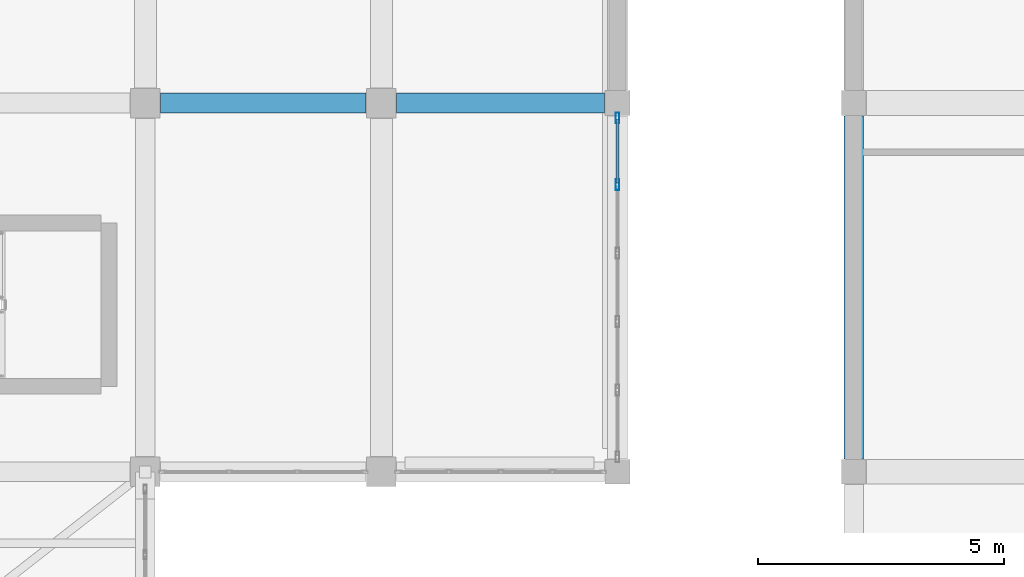
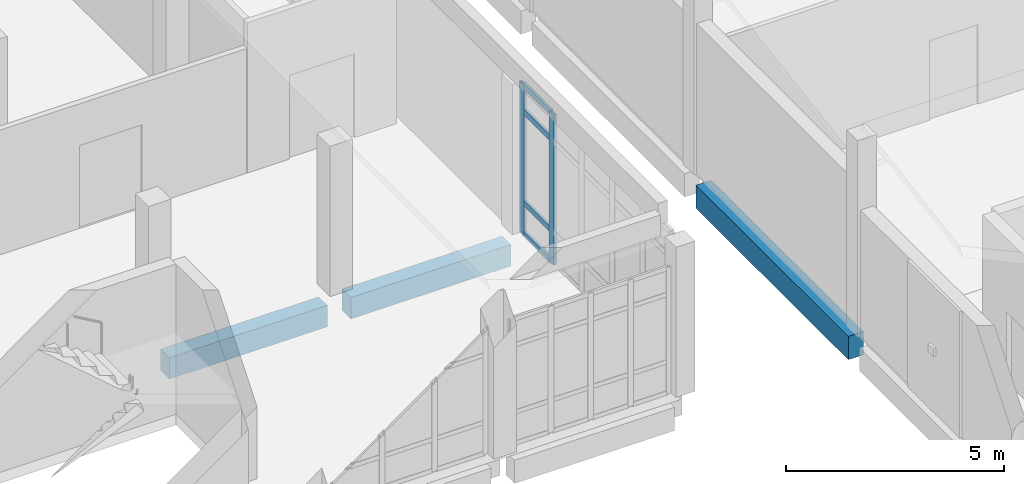
# One storey, part 98 of 164: 6 members, 3 beams, 1 element without a shape of its own.
"""IFC4 building model written with IfcOpenShell, lengths in metres."""

import ifcopenshell
import ifcopenshell.guid

model = None  # the IFC model being written
_history = None  # IfcOwnerHistory: only IFC2X3 demands one
_inside = {}  # id of a spatial element -> (the spatial element, [elements in it])
_under = {}  # id of a project, library or spatial element -> (it, [spatial elements below it])
_declared = {}  # id of a project -> (the project, [libraries it declares])
_typed = {}  # id of a type object -> (the type object, [elements of that type])
_made_of = {}  # id of a material, layer set ... -> (it, [elements and type objects made of it])


def new_model(schema):
    """Start an empty IFC model of exactly this schema.

    Asked for "IFC4X3", IfcOpenShell would pick the latest addendum, in which some entities
    have other attributes; the version numbers below select the first issue.
    IFC2X3 requires an IfcOwnerHistory on every rooted entity: one is made here for all.
    """
    global model, _history
    if schema == "IFC4X3":
        model = ifcopenshell.file(schema_version=(4, 3, 0, 0))
    else:
        model = ifcopenshell.file(schema=schema)
    _inside.clear()
    _under.clear()
    _declared.clear()
    _typed.clear()
    _made_of.clear()
    _history = None
    if model.schema == "IFC2X3":
        org = make("IfcOrganization", Name="unknown")
        user = make(
            "IfcPersonAndOrganization",
            ThePerson=make("IfcPerson", FamilyName="unknown"),
            TheOrganization=org,
        )
        app = make(
            "IfcApplication",
            ApplicationDeveloper=org,
            Version="unknown",
            ApplicationFullName="unknown",
            ApplicationIdentifier="unknown",
        )
        _history = make(
            "IfcOwnerHistory",
            OwningUser=user,
            OwningApplication=app,
            ChangeAction="ADDED",
            CreationDate=0,
        )
    return model


def make(cls, **values):
    """One entity of the class cls with the attributes given. An attribute that is None is left unset."""
    return model.create_entity(
        cls, **{name: value for name, value in values.items() if value is not None}
    )


def rooted(cls, **values):
    """An entity with a GlobalId (a new one), such as an element, a storey or a relation."""
    return make(cls, GlobalId=ifcopenshell.guid.new(), OwnerHistory=_history, **values)


def si_unit(unit_type, name, prefix=None):
    """IfcSIUnit, for example si_unit("LENGTHUNIT", "METRE", prefix="MILLI")."""
    return make("IfcSIUnit", UnitType=unit_type, Prefix=prefix, Name=name)


def assignment(units):
    """IfcUnitAssignment: the units of a project."""
    return None if units is None else make("IfcUnitAssignment", Units=units)


def point(xyz):
    """IfcCartesianPoint."""
    return None if xyz is None else make("IfcCartesianPoint", Coordinates=xyz)


def direction(xyz):
    """IfcDirection."""
    return None if xyz is None else make("IfcDirection", DirectionRatios=xyz)


def frame(location, z_axis=None, x_axis=None):
    """IfcAxis2Placement3D, a coordinate frame: its origin and axes. An axis left out is left unset."""
    return make(
        "IfcAxis2Placement3D",
        Location=point(location),
        Axis=direction(z_axis),
        RefDirection=direction(x_axis),
    )


def frame_2d(location, x_axis=None):
    """IfcAxis2Placement2D, a coordinate frame in the plane: its origin and x axis."""
    return make(
        "IfcAxis2Placement2D", Location=point(location), RefDirection=direction(x_axis)
    )


def origin():
    """The frame at (0, 0, 0) with its axes left unset."""
    return frame((0.0, 0.0, 0.0))


def origin_2d():
    """The frame at (0, 0) in the plane with its x axis left unset."""
    return frame_2d((0.0, 0.0))


def place(relative_to, where):
    """IfcLocalPlacement: puts the frame where relative to a parent placement (None: the world)."""
    return make(
        "IfcLocalPlacement", PlacementRelTo=relative_to, RelativePlacement=where
    )


def context(
    kind, dimensions, precision=None, world=None, true_north=None, identifier=None
):
    """IfcGeometricRepresentationContext, for example the 3D "Model" context."""
    return make(
        "IfcGeometricRepresentationContext",
        ContextIdentifier=identifier,
        ContextType=kind,
        CoordinateSpaceDimension=dimensions,
        Precision=precision,
        WorldCoordinateSystem=world,
        TrueNorth=true_north,
    )


def subcontext(parent, identifier, kind, view, scale=None):
    """IfcGeometricRepresentationSubContext, for example "Body" below "Model"."""
    return make(
        "IfcGeometricRepresentationSubContext",
        ContextIdentifier=identifier,
        ContextType=kind,
        ParentContext=parent,
        TargetScale=scale,
        TargetView=view,
    )


def project(units=None, contexts=None):
    """IfcProject with its units and contexts."""
    return rooted(
        "IfcProject",
        Name="project",
        RepresentationContexts=contexts,
        UnitsInContext=assignment(units),
    )


def spatial(cls, under=None, at=None, **own):
    """A site, building, storey or space (cls), placed at a placement, below another one or the project."""
    s = rooted(cls, ObjectPlacement=at, **own)
    if under is not None:
        _under.setdefault(under.id(), (under, []))[1].append(s)
    return s


def profile(cls, at=None, kind="AREA", **sizes):
    """A parametric profile (cls). Its sizes go by their IFC names, for example OverallWidth=200.0."""
    return make(cls, ProfileType=kind, Position=at, **sizes)


def rectangle(**sizes):
    """IfcRectangleProfileDef."""
    return profile("IfcRectangleProfileDef", **sizes)


def hollow_rectangle(**sizes):
    """IfcRectangleHollowProfileDef."""
    return profile("IfcRectangleHollowProfileDef", **sizes)


def extrude(swept, where, along, depth):
    """IfcExtrudedAreaSolid: the profile swept, set in the frame where, extruded along a direction by depth."""
    return make(
        "IfcExtrudedAreaSolid",
        SweptArea=swept,
        Position=where,
        ExtrudedDirection=direction(along),
        Depth=depth,
    )


def shape(context_of_items, identifier, shape_type, items):
    """IfcShapeRepresentation: the items that make up one representation, for example the "Body"."""
    return make(
        "IfcShapeRepresentation",
        ContextOfItems=context_of_items,
        RepresentationIdentifier=identifier,
        RepresentationType=shape_type,
        Items=items,
    )


def material(Name=None, Category=None):
    """IfcMaterial."""
    return make("IfcMaterial", Name=Name, Category=Category)


def layer(
    of_material, thickness, ventilated=None, Name=None, Category=None, Priority=None
):
    """IfcMaterialLayer: one layer of a wall or slab, of a material (None: an air gap)."""
    return make(
        "IfcMaterialLayer",
        Material=of_material,
        LayerThickness=thickness,
        IsVentilated=ventilated,
        Name=Name,
        Category=Category,
        Priority=Priority,
    )


def layer_set(layers, Name=None):
    """IfcMaterialLayerSet."""
    return make("IfcMaterialLayerSet", MaterialLayers=layers, LayerSetName=Name)


def material_profile(
    of_material, cross_section, Name=None, Category=None, Priority=None
):
    """IfcMaterialProfile: a cross section and its material."""
    return make(
        "IfcMaterialProfile",
        Name=Name,
        Material=of_material,
        Profile=cross_section,
        Priority=Priority,
        Category=Category,
    )


def profile_set(profiles, Name=None, composite=None):
    """IfcMaterialProfileSet."""
    return make(
        "IfcMaterialProfileSet",
        Name=Name,
        MaterialProfiles=profiles,
        CompositeProfile=composite,
    )


def made_of(thing, what):
    """Note that an element or type object is made of a material, layer set ...; save() writes the relation."""
    if what is not None:
        _made_of.setdefault(what.id(), (what, []))[1].append(thing)
    return thing


def type_object(cls, material=None, **own):
    """A type object (cls), such as IfcWallType, which elements share."""
    return made_of(rooted(cls, **own), material)


def element(
    cls,
    number,
    at=None,
    inside=None,
    cuts=None,
    type_object=None,
    material=None,
    context=None,
    identifier="Body",
    shape_type=None,
    held_by="IfcProductDefinitionShape",
    body=None,
    shapes=None,
    **own,
):
    """One element of the class cls, such as IfcWall. Its Tag is "e" and its number.

    at: its placement. inside: the storey or other place that contains it. cuts: it is an
    opening in that element (IfcRelVoidsElement). A single representation is given by context,
    identifier, shape_type and body (its items); several are given by shapes. held_by: the class
    of the entity that holds the representations. save() writes the other relations.
    """
    e = rooted(cls, Tag="e%d" % number, ObjectPlacement=at, **own)
    if body is not None:
        shapes = [shape(context, identifier, shape_type, body)]
    if shapes is not None:
        e.Representation = make(held_by, Representations=shapes)
    if inside is not None:
        _inside.setdefault(inside.id(), (inside, []))[1].append(e)
    if cuts is not None:
        rooted(
            "IfcRelVoidsElement", RelatingBuildingElement=cuts, RelatedOpeningElement=e
        )
    if type_object is not None:
        _typed.setdefault(type_object.id(), (type_object, []))[1].append(e)
    return made_of(e, material)


def aggregate(whole, parts):
    """IfcRelAggregates: a whole, such as a stair, and the parts it consists of."""
    return rooted("IfcRelAggregates", RelatingObject=whole, RelatedObjects=parts)


def save(model, path):
    """Write the relations noted so far, then the file.

    IfcRelAggregates (storeys below a building ...), IfcRelContainedInSpatialStructure (elements
    in a storey), IfcRelDefinesByType, IfcRelAssociatesMaterial and IfcRelDeclares: one each for
    every whole, place, type object, material and project.
    """
    for whole, parts in _under.values():
        aggregate(whole, parts)
    for where, things in _inside.values():
        rooted(
            "IfcRelContainedInSpatialStructure",
            RelatedElements=things,
            RelatingStructure=where,
        )
    for kind, things in _typed.values():
        rooted("IfcRelDefinesByType", RelatedObjects=things, RelatingType=kind)
    for what, things in _made_of.values():
        rooted("IfcRelAssociatesMaterial", RelatedObjects=things, RelatingMaterial=what)
    for by, libraries in _declared.values():
        rooted("IfcRelDeclares", RelatingContext=by, RelatedDefinitions=libraries)
    model.write(path)


model = new_model("IFC4")

# Units and contexts
model_context = context("Model", 3, precision=1e-05, world=origin(), true_north=direction((0.0, 1.0)))
body_context = subcontext(model_context, "Body", "Model", "MODEL_VIEW")
ifc_project = project(units=[si_unit("LENGTHUNIT", "METRE"), si_unit("AREAUNIT", "SQUARE_METRE"), si_unit("VOLUMEUNIT", "CUBIC_METRE"), si_unit("PLANEANGLEUNIT", "RADIAN"), si_unit("MASSUNIT", "GRAM", prefix="KILO")], contexts=[model_context])

# Site, building, storey
site_placement = place(None, origin())
site = spatial("IfcSite", under=ifc_project, at=site_placement, CompositionType="ELEMENT")
building_placement = place(site_placement, origin())
building = spatial("IfcBuilding", under=site, at=building_placement, Name="Mawjan Specialist Oncology Clinic", CompositionType="ELEMENT")
storey_placement = place(building_placement, frame((0.0, 0.0, 5.0)))
storey = spatial("IfcBuildingStorey", under=building, at=storey_placement, Name="L01", CompositionType="ELEMENT", Elevation=5.0)

# Beams
ifc_material_1 = material(Name="Concrete C40/50", Category="concrete")
ifc_material_profile_1 = material_profile(ifc_material_1, rectangle(XDim=0.39990234375, YDim=0.60009765625, at=origin_2d()), Name="RC BM 400x600", Category="concrete")
ifc_profile_set_1 = profile_set([ifc_material_profile_1], Name="Concrete C40/50")
beam_type_1 = type_object("IfcBeamType", Name="BM-400x600", PredefinedType="BEAM", material=ifc_profile_set_1)
beam_1_placement = place(storey_placement, frame((93.909912109375, 90.800048828125, -0.60009765625), z_axis=(1.0, 0.0, 0.0), x_axis=(0.0, 1.0, 0.0)))
element("IfcBeam", 1, at=beam_1_placement, inside=storey, type_object=beam_type_1, Name="L01 Collector Beam BM-L01-0367", PredefinedType="BEAM", context=body_context, shape_type="SweptSolid", body=[
    extrude(rectangle(XDim=0.39990234375, YDim=0.60009765625, at=origin_2d()), origin(), (0.0, 0.0, 1.0), 4.18017578125),
])
beam_2_placement = place(storey_placement, frame((98.7099609375, 90.800048828125, -0.60009765625), z_axis=(1.0, 0.0, 0.0), x_axis=(0.0, 1.0, 0.0)))
element("IfcBeam", 2, at=beam_2_placement, inside=storey, type_object=beam_type_1, Name="L01 Collector Beam BM-L01-0368", PredefinedType="BEAM", context=body_context, shape_type="SweptSolid", body=[
    extrude(rectangle(XDim=0.39990234375, YDim=0.60009765625, at=origin_2d()), origin(), (0.0, 0.0, 1.0), 4.22998046875),
])

# Curtain wall, members
ifc_material_2 = material(Name="Unitised spectrally selective aluminium curtain wall", Category="aluminium")
ifc_layer = layer(ifc_material_2, 0.179931640625, Name="Unitised spectrally selective aluminium curtain wall", Category="aluminium")
ifc_layer_set = layer_set([ifc_layer], Name="Unitised spectrally selective aluminium curtain wall")
curtain_wall_type = type_object("IfcCurtainWallType", Name="CW-65", PredefinedType="NOTDEFINED", material=ifc_layer_set)
curtain_wall_placement = place(storey_placement, origin())
curtain_wall = element("IfcCurtainWall", 3, at=curtain_wall_placement, inside=storey, type_object=curtain_wall_type, Name="L01 Unitised Curtain Wall CW-L01-125", PredefinedType="NOTDEFINED")
ifc_material_3 = material(Name="Thermally broken aluminium 6063-T6", Category="aluminium")
ifc_material_profile_2 = material_profile(ifc_material_3, hollow_rectangle(XDim=0.070068359375, YDim=0.219970703125, WallThickness=0.00390625, at=origin_2d()), Name="ALU MULLION 220x70x4", Category="aluminium")
ifc_profile_set_2 = profile_set([ifc_material_profile_2], Name="Thermally broken aluminium 6063-T6")
member_type_1 = type_object("IfcMemberType", Name="CW-M220", PredefinedType="MULLION", material=ifc_profile_set_2)
member_1_placement = place(storey_placement, frame((103.199951171875, 90.4951171875, 0.0), z_axis=(0.0, 0.0, 1.0), x_axis=(1.0, 0.0, 0.0)))
member_1 = element("IfcMember", 4, at=member_1_placement, type_object=member_type_1, Name="CW-65 mullion 1", PredefinedType="MULLION", context=body_context, shape_type="SweptSolid", body=[
    extrude(hollow_rectangle(XDim=0.070068359375, YDim=0.219970703125, WallThickness=0.00390625, at=origin_2d()), origin(), (0.0, 0.0, 1.0), 4.199951171875),
])
member_2_placement = place(storey_placement, frame((103.199951171875, 89.137939453125, 0.0), z_axis=(0.0, 0.0, 1.0), x_axis=(1.0, 0.0, 0.0)))
member_2 = element("IfcMember", 5, at=member_2_placement, type_object=member_type_1, Name="CW-65 mullion 2", PredefinedType="MULLION", context=body_context, shape_type="SweptSolid", body=[
    extrude(hollow_rectangle(XDim=0.070068359375, YDim=0.219970703125, WallThickness=0.00390625, at=origin_2d()), origin(), (0.0, 0.0, 1.0), 4.199951171875),
])
ifc_material_4 = material(Name="Thermally broken aluminium 6063-T6", Category="aluminium")
ifc_material_profile_3 = material_profile(ifc_material_4, hollow_rectangle(XDim=0.070068359375, YDim=0.159912109375, WallThickness=0.00390625, at=origin_2d()), Name="ALU TRANSOM 160x70x4", Category="aluminium")
ifc_profile_set_3 = profile_set([ifc_material_profile_3], Name="Thermally broken aluminium 6063-T6")
member_type_2 = type_object("IfcMemberType", Name="CW-T160", PredefinedType="USERDEFINED", material=ifc_profile_set_3)
member_3_placement = place(storey_placement, frame((103.199951171875, 90.4599609375, 0.034912109375), z_axis=(0.0, -1.0, 0.0), x_axis=(1.0, 0.0, 0.0)))
member_3 = element("IfcMember", 6, at=member_3_placement, type_object=member_type_2, Name="CW-65 transom 1.1", ObjectType="TRANSOM", PredefinedType="USERDEFINED", context=body_context, shape_type="SweptSolid", body=[
    extrude(hollow_rectangle(XDim=0.070068359375, YDim=0.159912109375, WallThickness=0.00390625, at=origin_2d()), origin(), (0.0, 0.0, 1.0), 1.286865234375),
])
member_4_placement = place(storey_placement, frame((103.199951171875, 90.4599609375, 0.89990234375), z_axis=(0.0, -1.0, 0.0), x_axis=(1.0, 0.0, 0.0)))
member_4 = element("IfcMember", 7, at=member_4_placement, type_object=member_type_2, Name="CW-65 transom 1.2", ObjectType="TRANSOM", PredefinedType="USERDEFINED", context=body_context, shape_type="SweptSolid", body=[
    extrude(hollow_rectangle(XDim=0.070068359375, YDim=0.159912109375, WallThickness=0.00390625, at=origin_2d()), origin(), (0.0, 0.0, 1.0), 1.286865234375),
])
member_5_placement = place(storey_placement, frame((103.199951171875, 90.4599609375, 3.449951171875), z_axis=(0.0, -1.0, 0.0), x_axis=(1.0, 0.0, 0.0)))
member_5 = element("IfcMember", 8, at=member_5_placement, type_object=member_type_2, Name="CW-65 transom 1.3", ObjectType="TRANSOM", PredefinedType="USERDEFINED", context=body_context, shape_type="SweptSolid", body=[
    extrude(hollow_rectangle(XDim=0.070068359375, YDim=0.159912109375, WallThickness=0.00390625, at=origin_2d()), origin(), (0.0, 0.0, 1.0), 1.286865234375),
])
member_6_placement = place(storey_placement, frame((103.199951171875, 90.4599609375, 4.1650390625), z_axis=(0.0, -1.0, 0.0), x_axis=(1.0, 0.0, 0.0)))
member_6 = element("IfcMember", 9, at=member_6_placement, type_object=member_type_2, Name="CW-65 transom 1.4", ObjectType="TRANSOM", PredefinedType="USERDEFINED", context=body_context, shape_type="SweptSolid", body=[
    extrude(hollow_rectangle(XDim=0.070068359375, YDim=0.159912109375, WallThickness=0.00390625, at=origin_2d()), origin(), (0.0, 0.0, 1.0), 1.286865234375),
])
aggregate(curtain_wall, [member_1, member_2, member_3, member_4, member_5, member_6])

# Beam
ifc_material_5 = material(Name="Concrete C45/55", Category="concrete")
ifc_material_profile_4 = material_profile(ifc_material_5, rectangle(XDim=0.39990234375, YDim=0.64990234375, at=origin_2d()), Name="RC BM 400x650", Category="concrete")
ifc_profile_set_4 = profile_set([ifc_material_profile_4], Name="Concrete C45/55")
beam_type_2 = type_object("IfcBeamType", Name="SP-400x650", PredefinedType="SPANDREL", material=ifc_profile_set_4)
beam_3_placement = place(storey_placement, frame((108.0, 83.56005859375, -0.625), z_axis=(0.0, 1.0, 0.0), x_axis=(-1.0, 0.0, 0.0)))
element("IfcBeam", 10, at=beam_3_placement, inside=storey, type_object=beam_type_2, Name="L01 Spandrel Beam BM-L01-0562", PredefinedType="SPANDREL", context=body_context, shape_type="SweptSolid", body=[
    extrude(rectangle(XDim=0.39990234375, YDim=0.64990234375, at=origin_2d()), origin(), (0.0, 0.0, 1.0), 6.97998046875),
])

save(model, "model.ifc")
